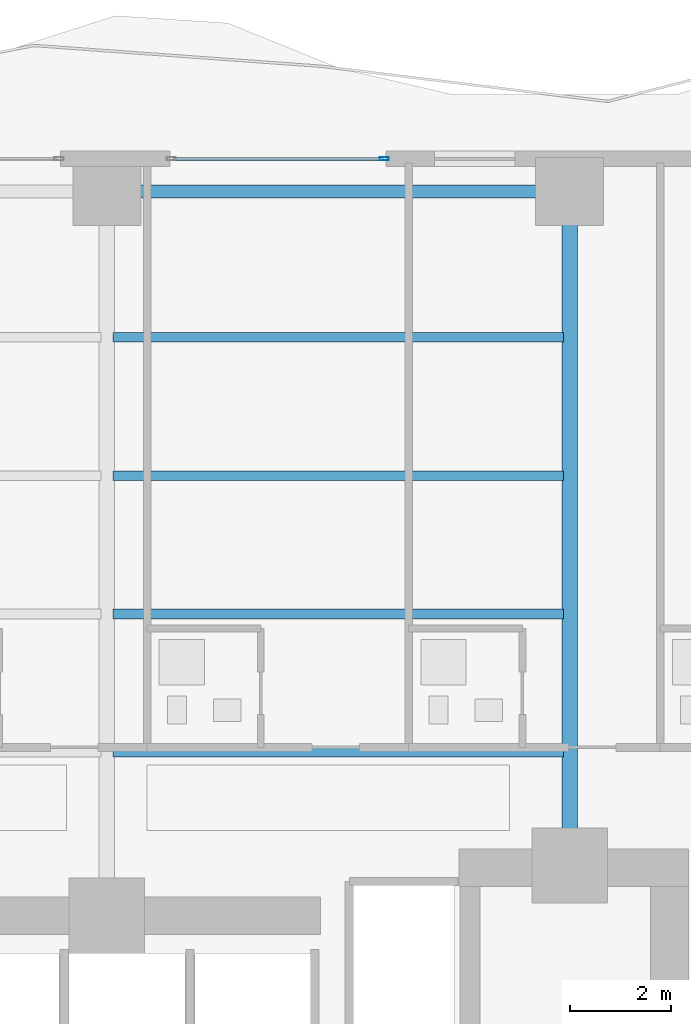
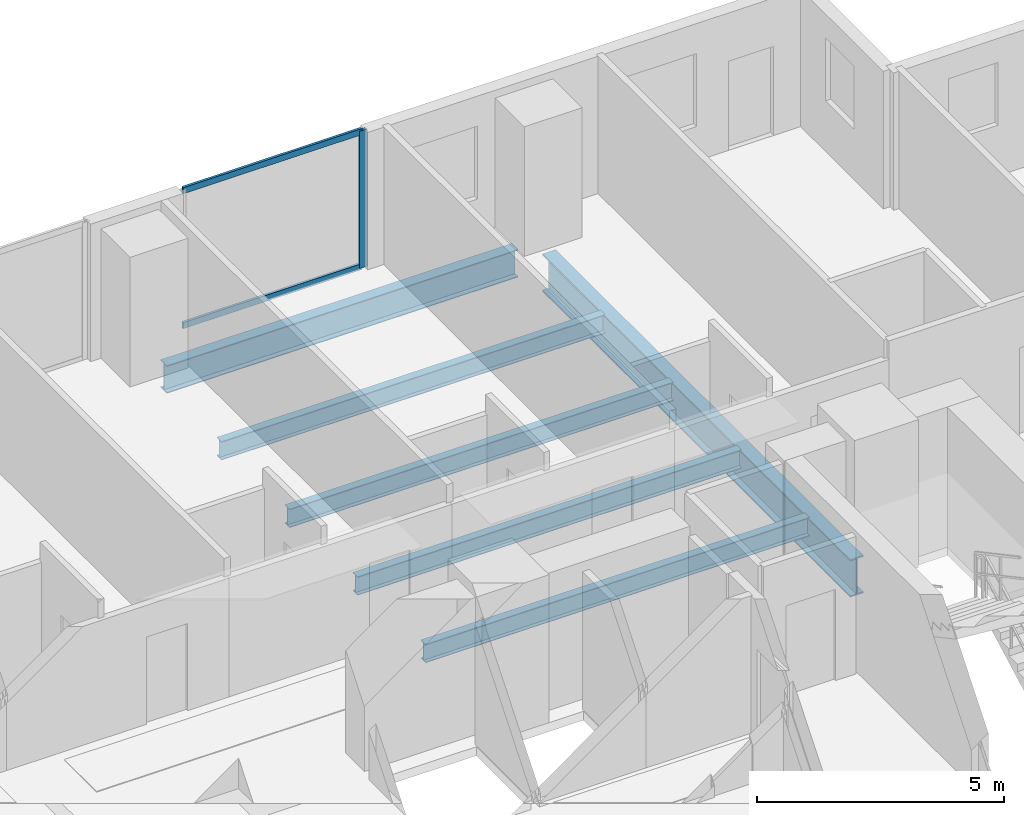
# One storey, part 18 of 29: 6 beams, 3 members, 1 element without a shape of its own.
"""IFC4 building model written with IfcOpenShell, lengths in metres."""

from ifc_helpers import new_model, si_unit, direction, frame, origin, origin_2d, place, context, subcontext, project, spatial, hollow_rectangle, i_section, extrude, material, layer, layer_set, material_profile, profile_set, type_object, element, aggregate, save


model = new_model("IFC4")

# Units and contexts
model_context = context("Model", 3, precision=1e-05, world=origin(), true_north=direction((0.0, 1.0)))
body_context = subcontext(model_context, "Body", "Model", "MODEL_VIEW")
ifc_project = project(units=[si_unit("LENGTHUNIT", "METRE"), si_unit("AREAUNIT", "SQUARE_METRE"), si_unit("VOLUMEUNIT", "CUBIC_METRE"), si_unit("PLANEANGLEUNIT", "RADIAN"), si_unit("MASSUNIT", "GRAM", prefix="KILO")], contexts=[model_context])

# Site, building, storey
site_placement = place(None, origin())
site = spatial("IfcSite", under=ifc_project, at=site_placement, CompositionType="ELEMENT")
building_placement = place(site_placement, origin())
building = spatial("IfcBuilding", under=site, at=building_placement, Name="Zuhayl Quay Hotel", CompositionType="ELEMENT")
storey_placement = place(building_placement, frame((0.0, 0.0, 158.550048828125)))
storey = spatial("IfcBuildingStorey", under=building, at=storey_placement, Name="L40", CompositionType="ELEMENT", Elevation=158.550048828125)

# Beams
ifc_material_1 = material(Name="Steel ASTM A992 Grade 50", Category="steel")
ifc_material_profile_1 = material_profile(ifc_material_1, i_section(OverallWidth=0.25390625, OverallDepth=0.68310546875, WebThickness=0.012451171875, FlangeThickness=0.018798828125, at=origin_2d()), Name="W27X94")
ifc_profile_set_1 = profile_set([ifc_material_profile_1], Name="Steel ASTM A992 Grade 50")
beam_type_1 = type_object("IfcBeamType", Name="BM_B2_W27X94", PredefinedType="BEAM", material=ifc_profile_set_1)
beam_1_placement = place(storey_placement, frame((13.300048828125, 27.75, -0.5615234375), z_axis=(-1.0, 0.0, 0.0), x_axis=(0.0, -1.0, 0.0)))
element("IfcBeam", 1, at=beam_1_placement, inside=storey, type_object=beam_type_1, Name="L40 Floor Beam RG_L40_07", PredefinedType="BEAM", context=body_context, shape_type="SweptSolid", body=[
    extrude(i_section(OverallWidth=0.25390625, OverallDepth=0.68310546875, WebThickness=0.012451171875, FlangeThickness=0.018798828125, at=origin_2d()), origin(), (0.0, 0.0, 1.0), 8.199951171875),
])
ifc_material_profile_2 = material_profile(ifc_material_1, i_section(OverallWidth=0.18994140625, OverallDepth=0.45703125, WebThickness=0.009033203125, FlangeThickness=0.014404296875, at=origin_2d()), Name="W18X50")
ifc_profile_set_2 = profile_set([ifc_material_profile_2], Name="Steel ASTM A992 Grade 50")
beam_type_2 = type_object("IfcBeamType", Name="BM_J2_W18X50", PredefinedType="JOIST", material=ifc_profile_set_2)
for number, where, z_axis, x_axis, name in (
    (2, (4.718994140625, 16.60009765625, -0.448486328125), (1.0, 0.0, 0.0), (0.0, 1.0, 0.0), "L40 Floor Beam FJ_L40_1_3"),
    (3, (4.718994140625, 19.35009765625, -0.448486328125), (1.0, 0.0, 0.0), (0.0, 1.0, 0.0), "L40 Floor Beam FJ_L40_2_3"),
    (4, (4.718994140625, 22.10009765625, -0.448486328125), (1.0, 0.0, 0.0), (0.0, 1.0, 0.0), "L40 Floor Beam FJ_L40_3_3"),
    (5, (4.718994140625, 24.85009765625, -0.448486328125), (1.0, 0.0, 0.0), (0.0, 1.0, 0.0), "L40 Floor Beam FJ_L40_4_3"),
):
    element("IfcBeam", number, at=place(storey_placement, frame(where, z_axis=z_axis, x_axis=x_axis)), inside=storey, type_object=beam_type_2, Name=name, PredefinedType="JOIST", context=body_context, shape_type="SweptSolid", body=[
        extrude(i_section(OverallWidth=0.18994140625, OverallDepth=0.45703125, WebThickness=0.009033203125, FlangeThickness=0.014404296875, at=origin_2d()), origin(), (0.0, 0.0, 1.0), 8.9619140625),
    ])
ifc_material_profile_3 = material_profile(ifc_material_1, i_section(OverallWidth=0.306884765625, OverallDepth=0.927001953125, WebThickness=0.019287109375, FlangeThickness=0.031982421875, at=origin_2d()), Name="W36X194")
ifc_profile_set_3 = profile_set([ifc_material_profile_3], Name="Steel ASTM A992 Grade 50")
beam_type_3 = type_object("IfcBeamType", Name="BM_PG2_W36X194", PredefinedType="BEAM", material=ifc_profile_set_3)
beam_2_placement = place(storey_placement, frame((13.800048828125, 14.800048828125, -0.68359375), z_axis=(0.0, 1.0, 0.0), x_axis=(-1.0, 0.0, 0.0)))
element("IfcBeam", 6, at=beam_2_placement, inside=storey, type_object=beam_type_3, Name="L40 Floor Beam FG_N_L40_4", PredefinedType="BEAM", context=body_context, shape_type="SweptSolid", body=[
    extrude(i_section(OverallWidth=0.306884765625, OverallDepth=0.927001953125, WebThickness=0.019287109375, FlangeThickness=0.031982421875, at=origin_2d()), origin(), (0.0, 0.0, 1.0), 12.449951171875),
])

# Curtain wall, members
ifc_material_2 = material(Name="Anodised Aluminium 6063-T6", Category="aluminium")
ifc_layer = layer(ifc_material_2, 0.179931640625, Name="Anodised Aluminium 6063-T6", Category="aluminium")
ifc_layer_set = layer_set([ifc_layer], Name="Anodised Aluminium 6063-T6")
curtain_wall_type = type_object("IfcCurtainWallType", Name="CW_SYS_Z2", PredefinedType="USERDEFINED", material=ifc_layer_set)
curtain_wall_placement = place(storey_placement, origin())
curtain_wall = element("IfcCurtainWall", 7, at=curtain_wall_placement, inside=storey, type_object=curtain_wall_type, Name="L40 Curtain Wall ENV_L40_N_CW6", ObjectType="UNITISED CURTAIN WALL", PredefinedType="USERDEFINED")
ifc_material_3 = material(Name="Black-anodised aluminium 6063-T6", Category="aluminium")
ifc_material_profile_4 = material_profile(ifc_material_3, hollow_rectangle(XDim=0.06494140625, YDim=0.179931640625, WallThickness=0.00341796875, at=origin_2d()), Name="ALU180X65")
ifc_profile_set_4 = profile_set([ifc_material_profile_4], Name="Black-anodised aluminium 6063-T6")
member_type_1 = type_object("IfcMemberType", Name="MB_CW_MUL_180", PredefinedType="MULLION", material=ifc_profile_set_4)
member_1_placement = place(storey_placement, frame((10.117431640625, 28.39990234375, 0.0), z_axis=(0.0, 0.0, 1.0), x_axis=(0.0, 1.0, 0.0)))
member_1 = element("IfcMember", 8, at=member_1_placement, type_object=member_type_1, Name="CW-Z2 mullion 2", PredefinedType="MULLION", context=body_context, shape_type="SweptSolid", body=[
    extrude(hollow_rectangle(XDim=0.06494140625, YDim=0.179931640625, WallThickness=0.00341796875, at=origin_2d()), origin(), (0.0, 0.0, 1.0), 3.389892578125),
])
ifc_material_profile_5 = material_profile(ifc_material_3, hollow_rectangle(XDim=0.06005859375, YDim=0.14990234375, WallThickness=0.00341796875, at=origin_2d()), Name="ALU150X60")
ifc_profile_set_5 = profile_set([ifc_material_profile_5], Name="Black-anodised aluminium 6063-T6")
member_type_2 = type_object("IfcMemberType", Name="MB_CW_TRN_150", PredefinedType="USERDEFINED", material=ifc_profile_set_5)
member_2_placement = place(storey_placement, frame((5.9150390625, 28.39990234375, 0.030029296875), z_axis=(1.0, 0.0, 0.0), x_axis=(0.0, 1.0, 0.0)))
member_2 = element("IfcMember", 9, at=member_2_placement, type_object=member_type_2, Name="CW-Z2 transom 1.1", ObjectType="TRANSOM", PredefinedType="USERDEFINED", context=body_context, shape_type="SweptSolid", body=[
    extrude(hollow_rectangle(XDim=0.06005859375, YDim=0.14990234375, WallThickness=0.00341796875, at=origin_2d()), origin(), (0.0, 0.0, 1.0), 4.169921875),
])
member_3_placement = place(storey_placement, frame((5.9150390625, 28.39990234375, 3.35986328125), z_axis=(1.0, 0.0, 0.0), x_axis=(0.0, 1.0, 0.0)))
member_3 = element("IfcMember", 10, at=member_3_placement, type_object=member_type_2, Name="CW-Z2 transom 1.2", ObjectType="TRANSOM", PredefinedType="USERDEFINED", context=body_context, shape_type="SweptSolid", body=[
    extrude(hollow_rectangle(XDim=0.06005859375, YDim=0.14990234375, WallThickness=0.00341796875, at=origin_2d()), origin(), (0.0, 0.0, 1.0), 4.169921875),
])
aggregate(curtain_wall, [member_1, member_2, member_3])

save(model, "model.ifc")
